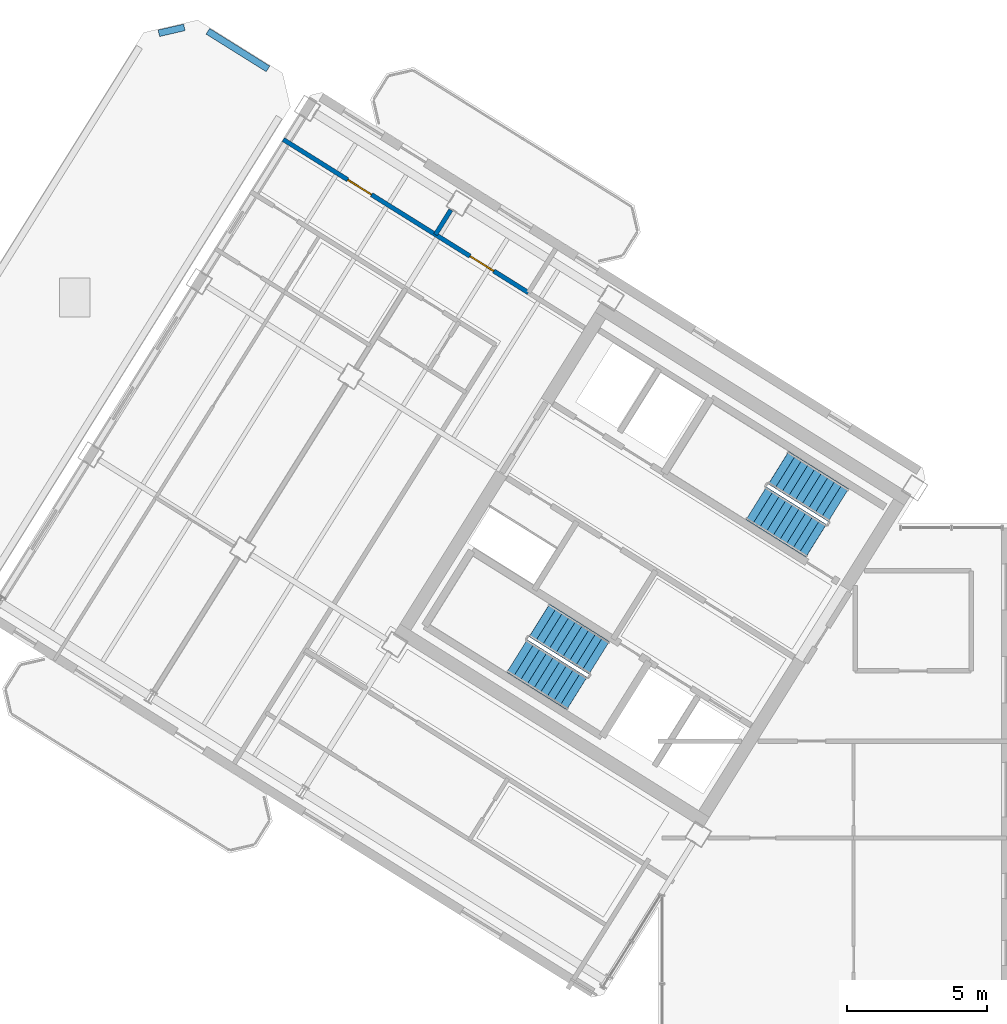
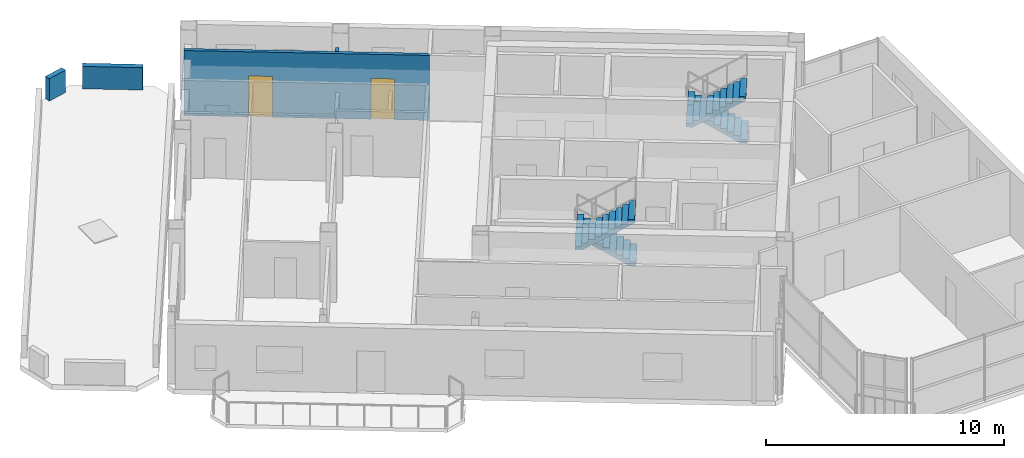
# One storey, part 10 of 12: 4 stair flights, 4 walls, 2 doors, 2 openings, 2 elements without a shape of their own.
"""IFC4 building model written with IfcOpenShell, lengths in metres."""

from ifc_helpers import new_model, si_unit, direction, frame, frame_2d, origin, place, context, subcontext, project, spatial, polyline, rectangle, outline, extrude, source, transform, mapped, material, layer, layer_set, type_object, element, fill, aggregate, save


model = new_model("IFC4")

# Units and contexts
model_context = context("Model", 3, precision=1e-05, world=origin(), true_north=direction((0.0, 1.0)))
body_context = subcontext(model_context, "Body", "Model", "MODEL_VIEW")
ifc_project = project(units=[si_unit("LENGTHUNIT", "METRE"), si_unit("AREAUNIT", "SQUARE_METRE"), si_unit("VOLUMEUNIT", "CUBIC_METRE"), si_unit("PLANEANGLEUNIT", "RADIAN"), si_unit("MASSUNIT", "GRAM", prefix="KILO")], contexts=[model_context])

# Site, building, storey
site_placement = place(None, origin())
site = spatial("IfcSite", under=ifc_project, at=site_placement, CompositionType="ELEMENT")
building_placement = place(site_placement, origin())
building = spatial("IfcBuilding", under=site, at=building_placement, Name="Tlacorven Tower", CompositionType="ELEMENT")
storey_placement = place(building_placement, frame((0.0, 0.0, 280.800048828125)))
storey = spatial("IfcBuildingStorey", under=building, at=storey_placement, Name="L71", CompositionType="ELEMENT", Elevation=280.800048828125)

# Wall, openings, doors
ifc_material_1 = material(Name="Gypsum plasterboard acoustic partition", Category="gypsum")
ifc_layer_1 = layer(ifc_material_1, 0.159912109375)
ifc_layer_set_1 = layer_set([ifc_layer_1], Name="Gypsum plasterboard acoustic partition")
wall_type_1 = type_object("IfcWallType", Name="WL-DEM-160", PredefinedType="PARTITIONING", material=ifc_layer_set_1)
wall_1_placement = place(storey_placement, frame((26.97265625, 31.447265625, 0.0), z_axis=(0.0, 0.0, 1.0), x_axis=(-0.84805406617, 0.529909710094, 0.0)))
wall_1 = element("IfcWall", 1, at=wall_1_placement, inside=storey, type_object=wall_type_1, Name="L71 Wing W Corridor South Wall", PredefinedType="PARTITIONING", context=body_context, shape_type="SweptSolid", body=[
    extrude(rectangle(XDim=10.329833984375, YDim=0.159912109375, at=frame_2d((5.1650390625, 0.0))), origin(), (0.0, 0.0, 1.0), 3.33984375),
])
opening_1_placement = place(wall_1_placement, frame((1.458984375, 0.0, 0.0)))
opening_1 = element("IfcOpeningElement", 2, at=opening_1_placement, cuts=wall_1, Name="Opening D11", PredefinedType="OPENING", context=body_context, shape_type="SweptSolid", body=[
    extrude(rectangle(XDim=1.0, YDim=2.10009765625, at=frame_2d((0.5, 1.050048828125))), frame((0.0, 0.08984375, 0.0), z_axis=(0.0, -1.0, 0.0), x_axis=(1.0, 0.0, 0.0)), (0.0, 0.0, 1.0), 0.179931640625),
])
opening_2_placement = place(wall_1_placement, frame((6.614013671875, 0.0, 0.0)))
opening_2 = element("IfcOpeningElement", 3, at=opening_2_placement, cuts=wall_1, Name="Opening D11", PredefinedType="OPENING", context=body_context, shape_type="SweptSolid", body=[
    extrude(rectangle(XDim=1.0, YDim=2.10009765625, at=frame_2d((0.5, 1.050048828125))), frame((0.0, 0.08984375, 0.0), z_axis=(0.0, -1.0, 0.0), x_axis=(1.0, 0.0, 0.0)), (0.0, 0.0, 1.0), 0.179931640625),
])
ifc_material_2 = material(Name="Fire-rated steel door assembly", Category="steel")
door_type = type_object("IfcDoorType", Name="DR-FLT-FD60-1000", OperationType="NOTDEFINED", PredefinedType="DOOR", material=ifc_material_2)
shared_shape_1 = source(origin(), body_context, "Body", "SweptSolid", [
    extrude(rectangle(XDim=1.0, YDim=2.10009765625, at=frame_2d((0.5, 1.050048828125))), frame((0.0, 0.02490234375, 0.0), z_axis=(0.0, -1.0, 0.0), x_axis=(1.0, 0.0, 0.0)), (0.0, 0.0, 1.0), 0.050048828125),
])
door_1_placement = place(opening_1_placement, frame((1.0, 0.0, 0.0), z_axis=(0.0, 0.0, 1.0), x_axis=(-1.0, 0.0, 0.0)))
door_1 = element("IfcDoor", 4, at=door_1_placement, inside=storey, type_object=door_type, Name="L71 door 020", OperationType="SINGLE_SWING_LEFT", OverallHeight=2.10009765625, OverallWidth=1.0, PredefinedType="DOOR", context=body_context, shape_type="MappedRepresentation", body=[
    mapped(shared_shape_1, transform((0.0, 0.0, 0.0), scale=1.0)),
])
fill(opening_1, door_1)
door_2_placement = place(opening_2_placement, frame((1.0, 0.0, 0.0), z_axis=(0.0, 0.0, 1.0), x_axis=(-1.0, 0.0, 0.0)))
door_2 = element("IfcDoor", 5, at=door_2_placement, inside=storey, type_object=door_type, Name="L71 door 021", OperationType="SINGLE_SWING_RIGHT", OverallHeight=2.10009765625, OverallWidth=1.0, PredefinedType="DOOR", context=body_context, shape_type="MappedRepresentation", body=[
    mapped(shared_shape_1, transform((0.0, 0.0, 0.0), scale=1.0)),
])
fill(opening_2, door_2)

# Walls
wall_2_placement = place(storey_placement, frame((24.199951171875, 34.403564453125, 0.0), z_axis=(0.0, 0.0, 1.0), x_axis=(-0.529977795385, -0.848011519025, 0.0)))
element("IfcWall", 6, at=wall_2_placement, inside=storey, type_object=wall_type_1, Name="L71 partition 33", PredefinedType="PARTITIONING", context=body_context, shape_type="SweptSolid", body=[
    extrude(rectangle(XDim=1.037841796875, YDim=0.159912109375, at=frame_2d((0.51904296875, 0.0))), origin(), (0.0, 0.0, 1.0), 2.875),
])
ifc_material_3 = material(Name="Precast concrete C45/55", Category="concrete")
ifc_layer_2 = layer(ifc_material_3, 0.239990234375)
ifc_layer_set_2 = layer_set([ifc_layer_2], Name="Precast concrete C45/55")
wall_type_2 = type_object("IfcWallType", Name="WL-PAR-240", PredefinedType="PARAPET", material=ifc_layer_set_2)
wall_3_placement = place(storey_placement, frame((13.763916015625, 40.71875, 0.0), z_axis=(0.0, 0.0, 1.0), x_axis=(0.974373600825, 0.224935737523, 0.0)))
element("IfcWall", 7, at=wall_3_placement, inside=storey, type_object=wall_type_2, Name="L71 West Wing Setback Parapet 4", PredefinedType="PARAPET", context=body_context, shape_type="SweptSolid", body=[
    extrude(rectangle(XDim=0.935546875, YDim=0.239990234375, at=frame_2d((0.4677734375, 0.0))), origin(), (0.0, 0.0, 1.0), 1.14990234375),
])
wall_4_placement = place(storey_placement, frame((15.513916015625, 40.788818359375, 0.0), z_axis=(0.0, 0.0, 1.0), x_axis=(0.848041573463, -0.529929702582, 0.0)))
element("IfcWall", 8, at=wall_4_placement, inside=storey, type_object=wall_type_2, Name="L71 West Wing Setback Parapet 5", PredefinedType="PARAPET", context=body_context, shape_type="SweptSolid", body=[
    extrude(rectangle(XDim=2.53564453125, YDim=0.239990234375, at=frame_2d((1.267822265625, 0.0))), origin(), (0.0, 0.0, 1.0), 1.14990234375),
])

# Stair, stair flights
ifc_material_4 = material(Name="Concrete C40/50", Category="concrete")
stair_type = type_object("IfcStairType", Name="ST-CORE-DLG", PredefinedType="HALF_TURN_STAIR", material=ifc_material_4)
stair_1_placement = place(storey_placement, origin())
stair_1 = element("IfcStair", 9, at=stair_1_placement, inside=storey, type_object=stair_type, Name="L71 Protected Exit Stair West 1", PredefinedType="HALF_TURN_STAIR")
stair_flight_type = type_object("IfcStairFlightType", Name="SFL-RC-1380", PredefinedType="STRAIGHT", material=ifc_material_4)
shared_shape_2 = source(origin(), body_context, "Body", "SweptSolid", [
    extrude(outline(polyline([(-0.0029296875, -0.0029296875), (-0.0029296875, 0.179931640625), (0.280029296875, 0.179931640625), (0.280029296875, 0.360107421875), (0.56005859375, 0.360107421875), (0.56005859375, 0.5400390625), (0.840087890625, 0.5400390625), (0.840087890625, 0.719970703125), (1.1201171875, 0.719970703125), (1.1201171875, 0.89990234375), (1.39990234375, 0.89990234375), (1.39990234375, 1.080078125), (1.679931640625, 1.080078125), (1.679931640625, 1.260009765625), (1.9599609375, 1.260009765625), (1.9599609375, 1.43994140625), (2.239990234375, 1.43994140625), (2.239990234375, 1.6201171875), (2.52001953125, 1.6201171875), (2.52001953125, 1.800048828125), (2.52294921875, 1.800048828125), (2.52294921875, 1.429931640625), (2.52001953125, 1.429931640625), (0.295654296875, 0.0), (0.295654296875, -0.0029296875), (-0.0029296875, -0.0029296875)])), frame((0.0, 0.68994140625, 0.0), z_axis=(0.0, -1.0, 0.0), x_axis=(1.0, 0.0, 0.0)), (0.0, 0.0, 1.0), 1.3798828125),
])
stair_flight_1_placement = place(storey_placement, frame((29.499755859375, 18.39453125, 0.0), z_axis=(0.0, 0.0, 1.0), x_axis=(-0.848048096156, 0.529919264233, 0.0)))
stair_flight_1 = element("IfcStairFlight", 10, at=stair_flight_1_placement, type_object=stair_flight_type, Name="ST-W1 flight 1", NumberOfRisers=10, NumberOfTreads=9, PredefinedType="STRAIGHT", RiserHeight=0.18, TreadLength=0.28, context=body_context, shape_type="MappedRepresentation", body=[
    mapped(shared_shape_2, transform((0.0, 0.0, 0.0), scale=1.0)),
])
stair_flight_2_placement = place(storey_placement, frame((26.56787109375, 18.4580078125, 1.800048828125), z_axis=(0.0, 0.0, 1.0), x_axis=(0.848048096156, -0.529919264233, 0.0)))
stair_flight_2 = element("IfcStairFlight", 11, at=stair_flight_2_placement, type_object=stair_flight_type, Name="ST-W1 flight 2", NumberOfRisers=10, NumberOfTreads=9, PredefinedType="STRAIGHT", RiserHeight=0.18, TreadLength=0.28, context=body_context, shape_type="MappedRepresentation", body=[
    mapped(shared_shape_2, transform((0.0, 0.0, 0.0), scale=1.0)),
])
aggregate(stair_1, [stair_flight_1, stair_flight_2])

stair_2_placement = place(storey_placement, origin())
stair_2 = element("IfcStair", 12, at=stair_2_placement, inside=storey, type_object=stair_type, Name="L71 Protected Exit Stair West 2", PredefinedType="HALF_TURN_STAIR")
stair_flight_3_placement = place(storey_placement, frame((38.051513671875, 23.852294921875, 0.0), z_axis=(0.0, 0.0, 1.0), x_axis=(-0.848048096156, 0.529919264233, 0.0)))
stair_flight_3 = element("IfcStairFlight", 13, at=stair_flight_3_placement, type_object=stair_flight_type, Name="ST-W2 flight 1", NumberOfRisers=10, NumberOfTreads=9, PredefinedType="STRAIGHT", RiserHeight=0.18, TreadLength=0.28, context=body_context, shape_type="MappedRepresentation", body=[
    mapped(shared_shape_2, transform((0.0, 0.0, 0.0), scale=1.0)),
])
stair_flight_4_placement = place(storey_placement, frame((35.119384765625, 23.91552734375, 1.800048828125), z_axis=(0.0, 0.0, 1.0), x_axis=(0.848048096156, -0.529919264233, 0.0)))
stair_flight_4 = element("IfcStairFlight", 14, at=stair_flight_4_placement, type_object=stair_flight_type, Name="ST-W2 flight 2", NumberOfRisers=10, NumberOfTreads=9, PredefinedType="STRAIGHT", RiserHeight=0.18, TreadLength=0.28, context=body_context, shape_type="MappedRepresentation", body=[
    mapped(shared_shape_2, transform((0.0, 0.0, 0.0), scale=1.0)),
])
aggregate(stair_2, [stair_flight_3, stair_flight_4])

save(model, "model.ifc")
